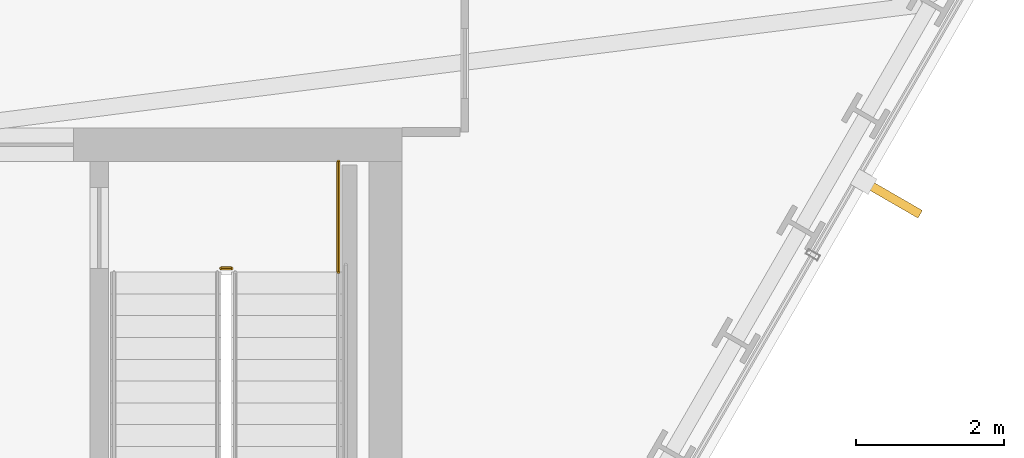
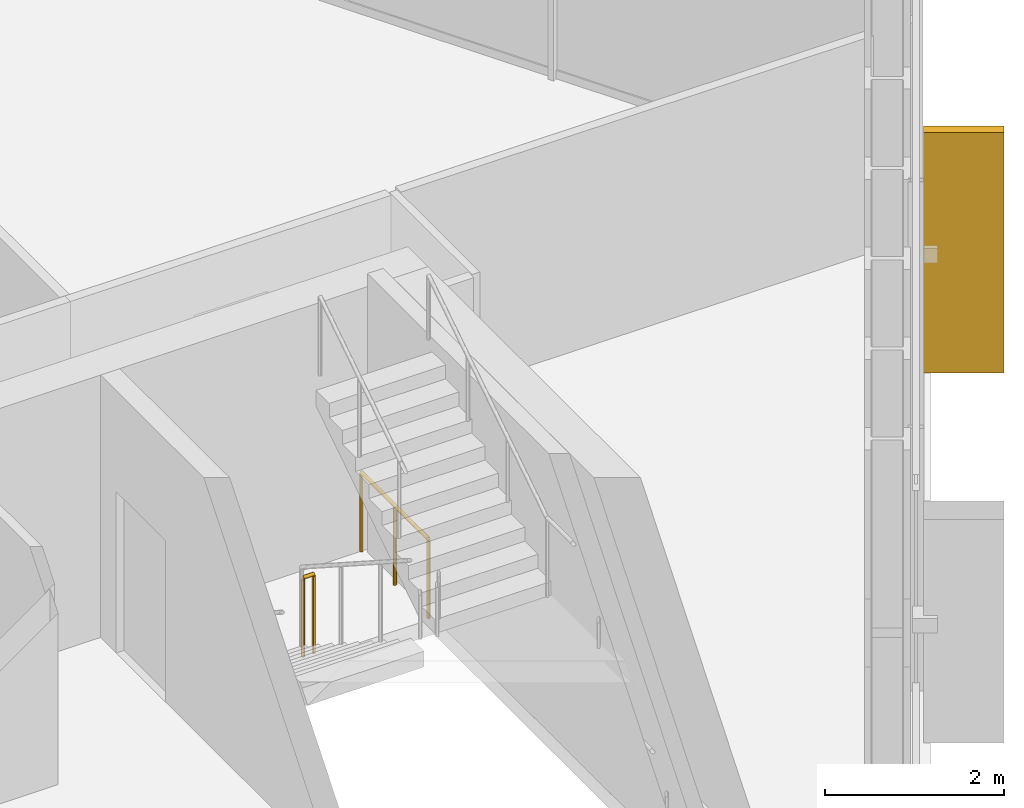
# One storey, part 32 of 33: 2 railings, 1 shading device.
"""IFC4 building model written with IfcOpenShell, lengths in metres."""

from ifc_helpers import new_model, si_unit, direction, frame, origin, origin_2d, place, context, subcontext, project, spatial, rectangle, circle, extrude, material, layer, layer_set, type_object, element, save


model = new_model("IFC4")

# Units and contexts
model_context = context("Model", 3, precision=1e-05, world=origin(), true_north=direction((0.0, 1.0)))
body_context = subcontext(model_context, "Body", "Model", "MODEL_VIEW")
ifc_project = project(units=[si_unit("LENGTHUNIT", "METRE"), si_unit("AREAUNIT", "SQUARE_METRE"), si_unit("VOLUMEUNIT", "CUBIC_METRE"), si_unit("PLANEANGLEUNIT", "RADIAN"), si_unit("MASSUNIT", "GRAM", prefix="KILO")], contexts=[model_context])

# Site, building, storey
site_placement = place(None, origin())
site = spatial("IfcSite", under=ifc_project, at=site_placement, CompositionType="ELEMENT")
building_placement = place(site_placement, origin())
building = spatial("IfcBuilding", under=site, at=building_placement, Name="Ndaravel Arena Tower", CompositionType="ELEMENT")
storey_placement = place(building_placement, frame((0.0, 0.0, 85.39990234375)))
storey = spatial("IfcBuildingStorey", under=building, at=storey_placement, Name="L19", CompositionType="ELEMENT", Elevation=85.39990234375)

# Railings
ifc_material_1 = material(Name="Steel S355", Category="steel")
ifc_layer = layer(ifc_material_1, 0.06005859375)
ifc_layer_set = layer_set([ifc_layer], Name="Steel S355")
railing_type = type_object("IfcRailingType", Name="RAIL-STAIR-GD1100", PredefinedType="GUARDRAIL", material=ifc_layer_set)
railing_1_placement = place(storey_placement, frame((55.10009765625, 13.300048828125, 0.0)))
element("IfcRailing", 1, at=railing_1_placement, inside=storey, type_object=railing_type, Name="L19 ST-3 stair guard 4", PredefinedType="GUARDRAIL", context=body_context, shape_type="SweptSolid", body=[
    extrude(circle(Radius=0.02392578125, at=origin_2d()), frame((0.0, 0.0, 1.076171875), z_axis=(1.0, 0.0, 0.0), x_axis=(0.0, 1.0, 0.0)), (0.0, 0.0, 1.0), 0.139892578125),
    extrude(circle(Radius=0.02099609375, at=origin_2d()), origin(), (0.0, 0.0, 1.0), 1.052001953125),
    extrude(circle(Radius=0.02099609375, at=origin_2d()), frame((0.139892578125, 0.0, 0.0)), (0.0, 0.0, 1.0), 1.052001953125),
])
railing_2_placement = place(storey_placement, frame((56.68994140625, 14.75, 0.0)))
element("IfcRailing", 2, at=railing_2_placement, inside=storey, type_object=railing_type, Name="L19 ST-3 stair guard 5", PredefinedType="GUARDRAIL", context=body_context, shape_type="SweptSolid", body=[
    extrude(circle(Radius=0.02392578125, at=origin_2d()), frame((0.0, 0.0, 1.076171875), z_axis=(0.0, -1.0, 0.0), x_axis=(1.0, 0.0, 0.0)), (0.0, 0.0, 1.0), 1.5),
    extrude(circle(Radius=0.02099609375, at=origin_2d()), origin(), (0.0, 0.0, 1.0), 1.052001953125),
    extrude(circle(Radius=0.02099609375, at=origin_2d()), frame((0.0, -0.75, 0.0)), (0.0, 0.0, 1.0), 1.052001953125),
    extrude(circle(Radius=0.02099609375, at=origin_2d()), frame((0.0, -1.5, 0.0)), (0.0, 0.0, 1.0), 1.052001953125),
])

# Shading device
ifc_material_2 = material(Name="Masonry", Category="masonry")
shading_device_type = type_object("IfcShadingDeviceType", Name="SHD-MAZERAS-FIN", PredefinedType="SHUTTER", material=ifc_material_2)
shading_device_placement = place(storey_placement, frame((64.1787109375, 14.2587890625, 0.14990234375), z_axis=(0.0, 0.0, 1.0), x_axis=(0.866025403784, -0.5, 0.0)))
element("IfcShadingDevice", 3, at=shading_device_placement, inside=storey, type_object=shading_device_type, Name="L19 Mazeras Stone Solar Fin E2.2", PredefinedType="SHUTTER", context=body_context, shape_type="SweptSolid", body=[
    extrude(rectangle(XDim=0.89990234375, YDim=0.1201171875, at=origin_2d()), origin(), (0.0, 0.0, 1.0), 3.280029296875),
])

save(model, "model.ifc")
